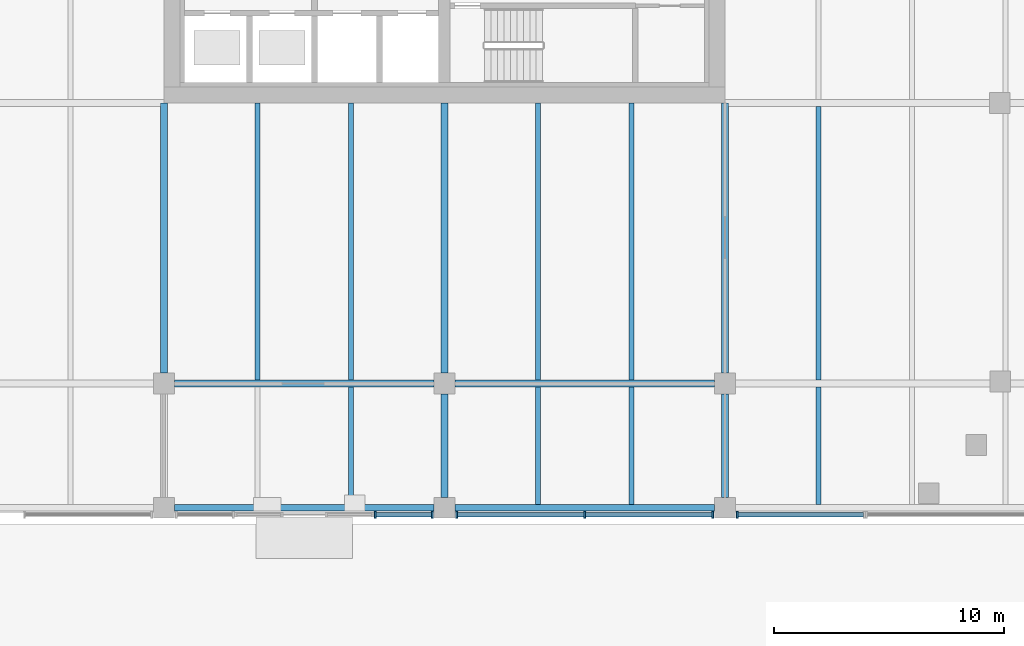
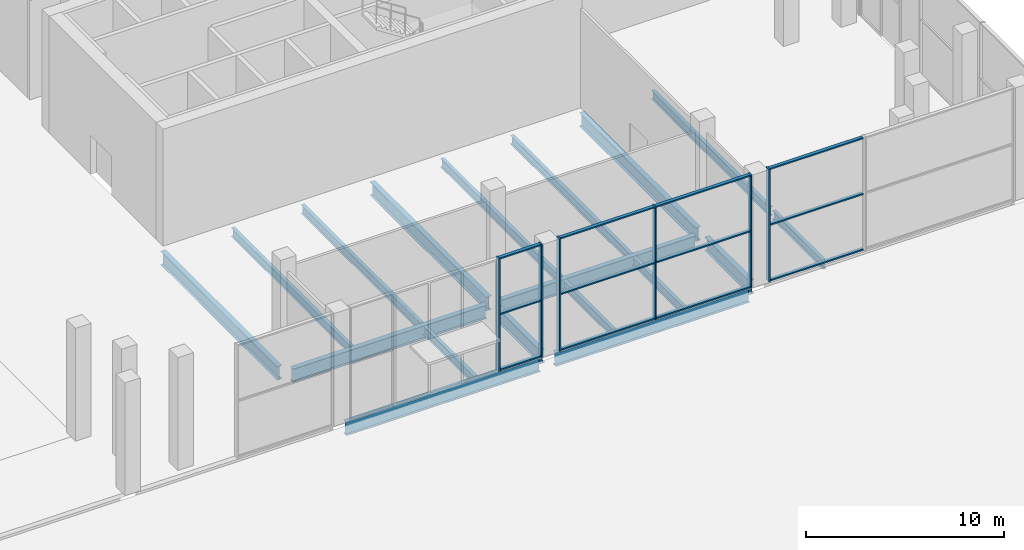
# One storey, part 6 of 36: 18 beams, 18 members, 3 elements without a shape of their own.
"""IFC4 building model written with IfcOpenShell, lengths in metres."""

from ifc_helpers import new_model, si_unit, direction, frame, origin, origin_2d, place, context, subcontext, project, spatial, rectangle, i_section, extrude, material, material_profile, profile_set, type_object, element, aggregate, save


model = new_model("IFC4")

# Units and contexts
model_context = context("Model", 3, precision=1e-05, world=origin(), true_north=direction((0.0, 1.0)))
body_context = subcontext(model_context, "Body", "Model", "MODEL_VIEW")
ifc_project = project(units=[si_unit("LENGTHUNIT", "METRE"), si_unit("AREAUNIT", "SQUARE_METRE"), si_unit("VOLUMEUNIT", "CUBIC_METRE"), si_unit("PLANEANGLEUNIT", "RADIAN"), si_unit("MASSUNIT", "GRAM", prefix="KILO")], contexts=[model_context])

# Site, building, storey
site_placement = place(None, origin())
site = spatial("IfcSite", under=ifc_project, at=site_placement, CompositionType="ELEMENT")
building_placement = place(site_placement, origin())
building = spatial("IfcBuilding", under=site, at=building_placement, Name="Tessera Gate Towers", CompositionType="ELEMENT")
storey_placement = place(building_placement, origin())
storey = spatial("IfcBuildingStorey", under=building, at=storey_placement, Name="L00", CompositionType="ELEMENT", Elevation=0.0)

# Beams
ifc_material_1 = material(Name="Steel 350W", Category="steel")
ifc_material_profile_1 = material_profile(ifc_material_1, i_section(OverallWidth=0.2919921875, OverallDepth=0.8349609375, WebThickness=0.013916015625, FlangeThickness=0.018798828125, at=origin_2d()), Name="W840x176")
ifc_profile_set_1 = profile_set([ifc_material_profile_1], Name="Steel 350W")
beam_type_1 = type_object("IfcBeamType", Name="FLOOR GIRDER W840x176", PredefinedType="BEAM", material=ifc_profile_set_1)
for number, where, z_axis, x_axis, name in (
    (1, (98.050048828125, 19.0, -0.66748046875), (1.0, 0.0, 0.0), (0.0, 1.0, 0.0), "PD-GD-L00-5"),
    (2, (110.25, 19.0, -0.66748046875), (1.0, 0.0, 0.0), (0.0, 1.0, 0.0), "PD-GD-L00-6"),
    (3, (98.050048828125, 24.39990234375, -0.66748046875), (1.0, 0.0, 0.0), (0.0, 1.0, 0.0), "PD-GD-L00-20"),
    (4, (110.25, 24.39990234375, -0.66748046875), (1.0, 0.0, 0.0), (0.0, 1.0, 0.0), "PD-GD-L00-21"),
):
    element("IfcBeam", number, at=place(storey_placement, frame(where, z_axis=z_axis, x_axis=x_axis)), inside=storey, type_object=beam_type_1, Name=name, PredefinedType="BEAM", context=body_context, shape_type="SweptSolid", body=[
        extrude(i_section(OverallWidth=0.2919921875, OverallDepth=0.8349609375, WebThickness=0.013916015625, FlangeThickness=0.018798828125, at=origin_2d()), origin(), (0.0, 0.0, 1.0), 11.300048828125),
    ])
beam_1_placement = place(storey_placement, frame((97.60009765625, 24.85009765625, -0.66748046875), z_axis=(0.0, 1.0, 0.0), x_axis=(-1.0, 0.0, 0.0)))
element("IfcBeam", 5, at=beam_1_placement, inside=storey, type_object=beam_type_1, Name="PD-GD-L00-66", PredefinedType="BEAM", context=body_context, shape_type="SweptSolid", body=[
    extrude(i_section(OverallWidth=0.2919921875, OverallDepth=0.8349609375, WebThickness=0.013916015625, FlangeThickness=0.018798828125, at=origin_2d()), origin(), (0.0, 0.0, 1.0), 11.75),
])
beam_2_placement = place(storey_placement, frame((109.800048828125, 19.449951171875, -0.66748046875), z_axis=(0.0, 1.0, 0.0), x_axis=(-1.0, 0.0, 0.0)))
element("IfcBeam", 6, at=beam_2_placement, inside=storey, type_object=beam_type_1, Name="PD-GD-L00-67", PredefinedType="BEAM", context=body_context, shape_type="SweptSolid", body=[
    extrude(i_section(OverallWidth=0.2919921875, OverallDepth=0.8349609375, WebThickness=0.013916015625, FlangeThickness=0.018798828125, at=origin_2d()), origin(), (0.0, 0.0, 1.0), 4.5),
])
beam_3_placement = place(storey_placement, frame((109.800048828125, 24.85009765625, -0.66748046875), z_axis=(0.0, 1.0, 0.0), x_axis=(-1.0, 0.0, 0.0)))
element("IfcBeam", 7, at=beam_3_placement, inside=storey, type_object=beam_type_1, Name="PD-GD-L00-68", PredefinedType="BEAM", context=body_context, shape_type="SweptSolid", body=[
    extrude(i_section(OverallWidth=0.2919921875, OverallDepth=0.8349609375, WebThickness=0.013916015625, FlangeThickness=0.018798828125, at=origin_2d()), origin(), (0.0, 0.0, 1.0), 11.75),
])
beam_4_placement = place(storey_placement, frame((122.0, 19.449951171875, -0.66748046875), z_axis=(0.0, 1.0, 0.0), x_axis=(-1.0, 0.0, 0.0)))
element("IfcBeam", 8, at=beam_4_placement, inside=storey, type_object=beam_type_1, Name="PD-GD-L00-69", PredefinedType="BEAM", context=body_context, shape_type="SweptSolid", body=[
    extrude(i_section(OverallWidth=0.2919921875, OverallDepth=0.8349609375, WebThickness=0.013916015625, FlangeThickness=0.018798828125, at=origin_2d()), origin(), (0.0, 0.0, 1.0), 4.5),
])
beam_5_placement = place(storey_placement, frame((122.0, 24.85009765625, -0.66748046875), z_axis=(0.0, 1.0, 0.0), x_axis=(-1.0, 0.0, 0.0)))
element("IfcBeam", 9, at=beam_5_placement, inside=storey, type_object=beam_type_1, Name="PD-GD-L00-70", PredefinedType="BEAM", context=body_context, shape_type="SweptSolid", body=[
    extrude(i_section(OverallWidth=0.2919921875, OverallDepth=0.8349609375, WebThickness=0.013916015625, FlangeThickness=0.018798828125, at=origin_2d()), origin(), (0.0, 0.0, 1.0), 11.75),
])
ifc_material_2 = material(Name="Steel 350W", Category="steel")
ifc_material_profile_2 = material_profile(ifc_material_2, i_section(OverallWidth=0.208984375, OverallDepth=0.528076171875, WebThickness=0.009521484375, FlangeThickness=0.01318359375, at=origin_2d()), Name="W530x82")
ifc_profile_set_2 = profile_set([ifc_material_profile_2], Name="Steel 350W")
beam_type_2 = type_object("IfcBeamType", Name="FLOOR SECONDARY W530x82", PredefinedType="BEAM", material=ifc_profile_set_2)
beam_6_placement = place(storey_placement, frame((101.666748046875, 24.5458984375, -0.513916015625), z_axis=(0.0, 1.0, 0.0), x_axis=(-1.0, 0.0, 0.0)))
element("IfcBeam", 10, at=beam_6_placement, inside=storey, type_object=beam_type_2, Name="PD-BM-L00-162", PredefinedType="BEAM", context=body_context, shape_type="SweptSolid", body=[
    extrude(i_section(OverallWidth=0.208984375, OverallDepth=0.528076171875, WebThickness=0.009521484375, FlangeThickness=0.01318359375, at=origin_2d()), origin(), (0.0, 0.0, 1.0), 12.05419921875),
])
beam_7_placement = place(storey_placement, frame((105.7333984375, 19.14599609375, -0.513916015625), z_axis=(0.0, 1.0, 0.0), x_axis=(-1.0, 0.0, 0.0)))
element("IfcBeam", 11, at=beam_7_placement, inside=storey, type_object=beam_type_2, Name="PD-BM-L00-164", PredefinedType="BEAM", context=body_context, shape_type="SweptSolid", body=[
    extrude(i_section(OverallWidth=0.208984375, OverallDepth=0.528076171875, WebThickness=0.009521484375, FlangeThickness=0.01318359375, at=origin_2d()), origin(), (0.0, 0.0, 1.0), 5.10791015625),
])
beam_8_placement = place(storey_placement, frame((105.7333984375, 24.5458984375, -0.513916015625), z_axis=(0.0, 1.0, 0.0), x_axis=(-1.0, 0.0, 0.0)))
element("IfcBeam", 12, at=beam_8_placement, inside=storey, type_object=beam_type_2, Name="PD-BM-L00-165", PredefinedType="BEAM", context=body_context, shape_type="SweptSolid", body=[
    extrude(i_section(OverallWidth=0.208984375, OverallDepth=0.528076171875, WebThickness=0.009521484375, FlangeThickness=0.01318359375, at=origin_2d()), origin(), (0.0, 0.0, 1.0), 12.05419921875),
])
beam_9_placement = place(storey_placement, frame((113.86669921875, 19.14599609375, -0.513916015625), z_axis=(0.0, 1.0, 0.0), x_axis=(-1.0, 0.0, 0.0)))
element("IfcBeam", 13, at=beam_9_placement, inside=storey, type_object=beam_type_2, Name="PD-BM-L00-169", PredefinedType="BEAM", context=body_context, shape_type="SweptSolid", body=[
    extrude(i_section(OverallWidth=0.208984375, OverallDepth=0.528076171875, WebThickness=0.009521484375, FlangeThickness=0.01318359375, at=origin_2d()), origin(), (0.0, 0.0, 1.0), 5.10791015625),
])
beam_10_placement = place(storey_placement, frame((113.86669921875, 24.5458984375, -0.513916015625), z_axis=(0.0, 1.0, 0.0), x_axis=(-1.0, 0.0, 0.0)))
element("IfcBeam", 14, at=beam_10_placement, inside=storey, type_object=beam_type_2, Name="PD-BM-L00-170", PredefinedType="BEAM", context=body_context, shape_type="SweptSolid", body=[
    extrude(i_section(OverallWidth=0.208984375, OverallDepth=0.528076171875, WebThickness=0.009521484375, FlangeThickness=0.01318359375, at=origin_2d()), origin(), (0.0, 0.0, 1.0), 12.05419921875),
])
beam_11_placement = place(storey_placement, frame((117.933349609375, 19.14599609375, -0.513916015625), z_axis=(0.0, 1.0, 0.0), x_axis=(-1.0, 0.0, 0.0)))
element("IfcBeam", 15, at=beam_11_placement, inside=storey, type_object=beam_type_2, Name="PD-BM-L00-172", PredefinedType="BEAM", context=body_context, shape_type="SweptSolid", body=[
    extrude(i_section(OverallWidth=0.208984375, OverallDepth=0.528076171875, WebThickness=0.009521484375, FlangeThickness=0.01318359375, at=origin_2d()), origin(), (0.0, 0.0, 1.0), 5.10791015625),
])
beam_12_placement = place(storey_placement, frame((117.933349609375, 24.5458984375, -0.513916015625), z_axis=(0.0, 1.0, 0.0), x_axis=(-1.0, 0.0, 0.0)))
element("IfcBeam", 16, at=beam_12_placement, inside=storey, type_object=beam_type_2, Name="PD-BM-L00-173", PredefinedType="BEAM", context=body_context, shape_type="SweptSolid", body=[
    extrude(i_section(OverallWidth=0.208984375, OverallDepth=0.528076171875, WebThickness=0.009521484375, FlangeThickness=0.01318359375, at=origin_2d()), origin(), (0.0, 0.0, 1.0), 12.05419921875),
])
beam_13_placement = place(storey_placement, frame((126.066650390625, 19.14599609375, -0.513916015625), z_axis=(0.0, 1.0, 0.0), x_axis=(-1.0, 0.0, 0.0)))
element("IfcBeam", 17, at=beam_13_placement, inside=storey, type_object=beam_type_2, Name="PD-BM-L00-176", PredefinedType="BEAM", context=body_context, shape_type="SweptSolid", body=[
    extrude(i_section(OverallWidth=0.208984375, OverallDepth=0.528076171875, WebThickness=0.009521484375, FlangeThickness=0.01318359375, at=origin_2d()), origin(), (0.0, 0.0, 1.0), 5.10791015625),
])
beam_14_placement = place(storey_placement, frame((126.066650390625, 24.5458984375, -0.513916015625), z_axis=(0.0, 1.0, 0.0), x_axis=(-1.0, 0.0, 0.0)))
element("IfcBeam", 18, at=beam_14_placement, inside=storey, type_object=beam_type_2, Name="PD-BM-L00-177", PredefinedType="BEAM", context=body_context, shape_type="SweptSolid", body=[
    extrude(i_section(OverallWidth=0.208984375, OverallDepth=0.528076171875, WebThickness=0.009521484375, FlangeThickness=0.01318359375, at=origin_2d()), origin(), (0.0, 0.0, 1.0), 11.908203125),
])

# Curtain wall, members
ifc_material_3 = material(Name="Aluminium frame", Category="aluminium")
curtain_wall_type = type_object("IfcCurtainWallType", Name="CW-S6 ground floor glazing", PredefinedType="NOTDEFINED", material=ifc_material_3)
curtain_wall_1_placement = place(storey_placement, origin())
curtain_wall_1 = element("IfcCurtainWall", 19, at=curtain_wall_1_placement, inside=storey, type_object=curtain_wall_type, Name="Curtain wall ground floor glazing 0158", PredefinedType="NOTDEFINED")
ifc_material_4 = material(Name="Aluminium frame", Category="aluminium")
ifc_material_profile_3 = material_profile(ifc_material_4, rectangle(XDim=0.080078125, YDim=0.300048828125, at=origin_2d()), Name="AL 80x300")
ifc_profile_set_3 = profile_set([ifc_material_profile_3], Name="Aluminium frame")
member_type_1 = type_object("IfcMemberType", Name="MU-S6 mullion 80x300", PredefinedType="MULLION", material=ifc_profile_set_3)
member_1_placement = place(storey_placement, frame((106.7900390625, 18.699951171875, 0.0), z_axis=(0.0, 0.0, 1.0), x_axis=(1.0, 0.0, 0.0)))
member_1 = element("IfcMember", 20, at=member_1_placement, type_object=member_type_1, Name="PD-CW6-0158 mullion 1", PredefinedType="MULLION", context=body_context, shape_type="SweptSolid", body=[
    extrude(rectangle(XDim=0.080078125, YDim=0.300048828125, at=origin_2d()), origin(), (0.0, 0.0, 1.0), 6.949951171875),
])
member_2_placement = place(storey_placement, frame((109.27001953125, 18.699951171875, 0.0), z_axis=(0.0, 0.0, 1.0), x_axis=(1.0, 0.0, 0.0)))
member_2 = element("IfcMember", 21, at=member_2_placement, type_object=member_type_1, Name="PD-CW6-0158 mullion 2", PredefinedType="MULLION", context=body_context, shape_type="SweptSolid", body=[
    extrude(rectangle(XDim=0.080078125, YDim=0.300048828125, at=origin_2d()), origin(), (0.0, 0.0, 1.0), 6.949951171875),
])

curtain_wall_2_placement = place(storey_placement, origin())
curtain_wall_2 = element("IfcCurtainWall", 22, at=curtain_wall_2_placement, inside=storey, type_object=curtain_wall_type, Name="Curtain wall ground floor glazing 0159", PredefinedType="NOTDEFINED")
member_3_placement = place(storey_placement, frame((110.330078125, 18.699951171875, 0.0), z_axis=(0.0, 0.0, 1.0), x_axis=(1.0, 0.0, 0.0)))
member_3 = element("IfcMember", 23, at=member_3_placement, type_object=member_type_1, Name="PD-CW6-0159 mullion 1", PredefinedType="MULLION", context=body_context, shape_type="SweptSolid", body=[
    extrude(rectangle(XDim=0.080078125, YDim=0.300048828125, at=origin_2d()), origin(), (0.0, 0.0, 1.0), 6.949951171875),
])
member_4_placement = place(storey_placement, frame((115.89990234375, 18.699951171875, 0.0), z_axis=(0.0, 0.0, 1.0), x_axis=(1.0, 0.0, 0.0)))
member_4 = element("IfcMember", 24, at=member_4_placement, type_object=member_type_1, Name="PD-CW6-0159 mullion 2", PredefinedType="MULLION", context=body_context, shape_type="SweptSolid", body=[
    extrude(rectangle(XDim=0.080078125, YDim=0.300048828125, at=origin_2d()), origin(), (0.0, 0.0, 1.0), 6.949951171875),
])
member_5_placement = place(storey_placement, frame((121.469970703125, 18.699951171875, 0.0), z_axis=(0.0, 0.0, 1.0), x_axis=(1.0, 0.0, 0.0)))
member_5 = element("IfcMember", 25, at=member_5_placement, type_object=member_type_1, Name="PD-CW6-0159 mullion 3", PredefinedType="MULLION", context=body_context, shape_type="SweptSolid", body=[
    extrude(rectangle(XDim=0.080078125, YDim=0.300048828125, at=origin_2d()), origin(), (0.0, 0.0, 1.0), 6.949951171875),
])

# Curtain wall, member
curtain_wall_3_placement = place(storey_placement, origin())
curtain_wall_3 = element("IfcCurtainWall", 26, at=curtain_wall_3_placement, inside=storey, type_object=curtain_wall_type, Name="Curtain wall ground floor glazing 0160", PredefinedType="NOTDEFINED")
member_6_placement = place(storey_placement, frame((122.530029296875, 18.699951171875, 0.0), z_axis=(0.0, 0.0, 1.0), x_axis=(1.0, 0.0, 0.0)))
member_6 = element("IfcMember", 27, at=member_6_placement, type_object=member_type_1, Name="PD-CW6-0160 mullion 1", PredefinedType="MULLION", context=body_context, shape_type="SweptSolid", body=[
    extrude(rectangle(XDim=0.080078125, YDim=0.300048828125, at=origin_2d()), origin(), (0.0, 0.0, 1.0), 6.949951171875),
])

# Member
ifc_material_5 = material(Name="Aluminium frame", Category="aluminium")
ifc_material_profile_4 = material_profile(ifc_material_5, rectangle(XDim=0.199951171875, YDim=0.080078125, at=origin_2d()), Name="AL 80x200")
ifc_profile_set_4 = profile_set([ifc_material_profile_4], Name="Aluminium frame")
member_type_2 = type_object("IfcMemberType", Name="TR-S6 transom 80x200", PredefinedType="USERDEFINED", material=ifc_profile_set_4)
member_7_placement = place(storey_placement, frame((106.830078125, 18.699951171875, 0.0400390625), z_axis=(1.0, 0.0, 0.0), x_axis=(0.0, 1.0, 0.0)))
member_7 = element("IfcMember", 28, at=member_7_placement, type_object=member_type_2, Name="PD-CW6-0158 transom 1.1", ObjectType="TRANSOM", PredefinedType="USERDEFINED", context=body_context, shape_type="SweptSolid", body=[
    extrude(rectangle(XDim=0.199951171875, YDim=0.080078125, at=origin_2d()), origin(), (0.0, 0.0, 1.0), 2.39990234375),
])

member_8_placement = place(storey_placement, frame((106.830078125, 18.699951171875, 3.47509765625), z_axis=(1.0, 0.0, 0.0), x_axis=(0.0, 1.0, 0.0)))
member_8 = element("IfcMember", 29, at=member_8_placement, type_object=member_type_2, Name="PD-CW6-0158 transom 1.2", ObjectType="TRANSOM", PredefinedType="USERDEFINED", context=body_context, shape_type="SweptSolid", body=[
    extrude(rectangle(XDim=0.199951171875, YDim=0.080078125, at=origin_2d()), origin(), (0.0, 0.0, 1.0), 2.39990234375),
])

member_9_placement = place(storey_placement, frame((106.830078125, 18.699951171875, 6.909912109375), z_axis=(1.0, 0.0, 0.0), x_axis=(0.0, 1.0, 0.0)))
member_9 = element("IfcMember", 30, at=member_9_placement, type_object=member_type_2, Name="PD-CW6-0158 transom 1.3", ObjectType="TRANSOM", PredefinedType="USERDEFINED", context=body_context, shape_type="SweptSolid", body=[
    extrude(rectangle(XDim=0.199951171875, YDim=0.080078125, at=origin_2d()), origin(), (0.0, 0.0, 1.0), 2.39990234375),
])

aggregate(curtain_wall_1, [member_1, member_2, member_7, member_8, member_9])

member_10_placement = place(storey_placement, frame((110.3701171875, 18.699951171875, 0.0400390625), z_axis=(1.0, 0.0, 0.0), x_axis=(0.0, 1.0, 0.0)))
member_10 = element("IfcMember", 31, at=member_10_placement, type_object=member_type_2, Name="PD-CW6-0159 transom 1.1", ObjectType="TRANSOM", PredefinedType="USERDEFINED", context=body_context, shape_type="SweptSolid", body=[
    extrude(rectangle(XDim=0.199951171875, YDim=0.080078125, at=origin_2d()), origin(), (0.0, 0.0, 1.0), 5.489990234375),
])

member_11_placement = place(storey_placement, frame((110.3701171875, 18.699951171875, 3.47509765625), z_axis=(1.0, 0.0, 0.0), x_axis=(0.0, 1.0, 0.0)))
member_11 = element("IfcMember", 32, at=member_11_placement, type_object=member_type_2, Name="PD-CW6-0159 transom 1.2", ObjectType="TRANSOM", PredefinedType="USERDEFINED", context=body_context, shape_type="SweptSolid", body=[
    extrude(rectangle(XDim=0.199951171875, YDim=0.080078125, at=origin_2d()), origin(), (0.0, 0.0, 1.0), 5.489990234375),
])

member_12_placement = place(storey_placement, frame((110.3701171875, 18.699951171875, 6.909912109375), z_axis=(1.0, 0.0, 0.0), x_axis=(0.0, 1.0, 0.0)))
member_12 = element("IfcMember", 33, at=member_12_placement, type_object=member_type_2, Name="PD-CW6-0159 transom 1.3", ObjectType="TRANSOM", PredefinedType="USERDEFINED", context=body_context, shape_type="SweptSolid", body=[
    extrude(rectangle(XDim=0.199951171875, YDim=0.080078125, at=origin_2d()), origin(), (0.0, 0.0, 1.0), 5.489990234375),
])

member_13_placement = place(storey_placement, frame((115.93994140625, 18.699951171875, 0.0400390625), z_axis=(1.0, 0.0, 0.0), x_axis=(0.0, 1.0, 0.0)))
member_13 = element("IfcMember", 34, at=member_13_placement, type_object=member_type_2, Name="PD-CW6-0159 transom 2.1", ObjectType="TRANSOM", PredefinedType="USERDEFINED", context=body_context, shape_type="SweptSolid", body=[
    extrude(rectangle(XDim=0.199951171875, YDim=0.080078125, at=origin_2d()), origin(), (0.0, 0.0, 1.0), 5.489990234375),
])

member_14_placement = place(storey_placement, frame((115.93994140625, 18.699951171875, 3.47509765625), z_axis=(1.0, 0.0, 0.0), x_axis=(0.0, 1.0, 0.0)))
member_14 = element("IfcMember", 35, at=member_14_placement, type_object=member_type_2, Name="PD-CW6-0159 transom 2.2", ObjectType="TRANSOM", PredefinedType="USERDEFINED", context=body_context, shape_type="SweptSolid", body=[
    extrude(rectangle(XDim=0.199951171875, YDim=0.080078125, at=origin_2d()), origin(), (0.0, 0.0, 1.0), 5.489990234375),
])

member_15_placement = place(storey_placement, frame((115.93994140625, 18.699951171875, 6.909912109375), z_axis=(1.0, 0.0, 0.0), x_axis=(0.0, 1.0, 0.0)))
member_15 = element("IfcMember", 36, at=member_15_placement, type_object=member_type_2, Name="PD-CW6-0159 transom 2.3", ObjectType="TRANSOM", PredefinedType="USERDEFINED", context=body_context, shape_type="SweptSolid", body=[
    extrude(rectangle(XDim=0.199951171875, YDim=0.080078125, at=origin_2d()), origin(), (0.0, 0.0, 1.0), 5.489990234375),
])

aggregate(curtain_wall_2, [member_3, member_4, member_5, member_10, member_11, member_12, member_13, member_14, member_15])

member_16_placement = place(storey_placement, frame((122.570068359375, 18.699951171875, 0.0400390625), z_axis=(1.0, 0.0, 0.0), x_axis=(0.0, 1.0, 0.0)))
member_16 = element("IfcMember", 37, at=member_16_placement, type_object=member_type_2, Name="PD-CW6-0160 transom 1.1", ObjectType="TRANSOM", PredefinedType="USERDEFINED", context=body_context, shape_type="SweptSolid", body=[
    extrude(rectangle(XDim=0.199951171875, YDim=0.080078125, at=origin_2d()), origin(), (0.0, 0.0, 1.0), 5.449951171875),
])

member_17_placement = place(storey_placement, frame((122.570068359375, 18.699951171875, 3.47509765625), z_axis=(1.0, 0.0, 0.0), x_axis=(0.0, 1.0, 0.0)))
member_17 = element("IfcMember", 38, at=member_17_placement, type_object=member_type_2, Name="PD-CW6-0160 transom 1.2", ObjectType="TRANSOM", PredefinedType="USERDEFINED", context=body_context, shape_type="SweptSolid", body=[
    extrude(rectangle(XDim=0.199951171875, YDim=0.080078125, at=origin_2d()), origin(), (0.0, 0.0, 1.0), 5.449951171875),
])

member_18_placement = place(storey_placement, frame((122.570068359375, 18.699951171875, 6.909912109375), z_axis=(1.0, 0.0, 0.0), x_axis=(0.0, 1.0, 0.0)))
member_18 = element("IfcMember", 39, at=member_18_placement, type_object=member_type_2, Name="PD-CW6-0160 transom 1.3", ObjectType="TRANSOM", PredefinedType="USERDEFINED", context=body_context, shape_type="SweptSolid", body=[
    extrude(rectangle(XDim=0.199951171875, YDim=0.080078125, at=origin_2d()), origin(), (0.0, 0.0, 1.0), 5.449951171875),
])

aggregate(curtain_wall_3, [member_6, member_16, member_17, member_18])

save(model, "model.ifc")
